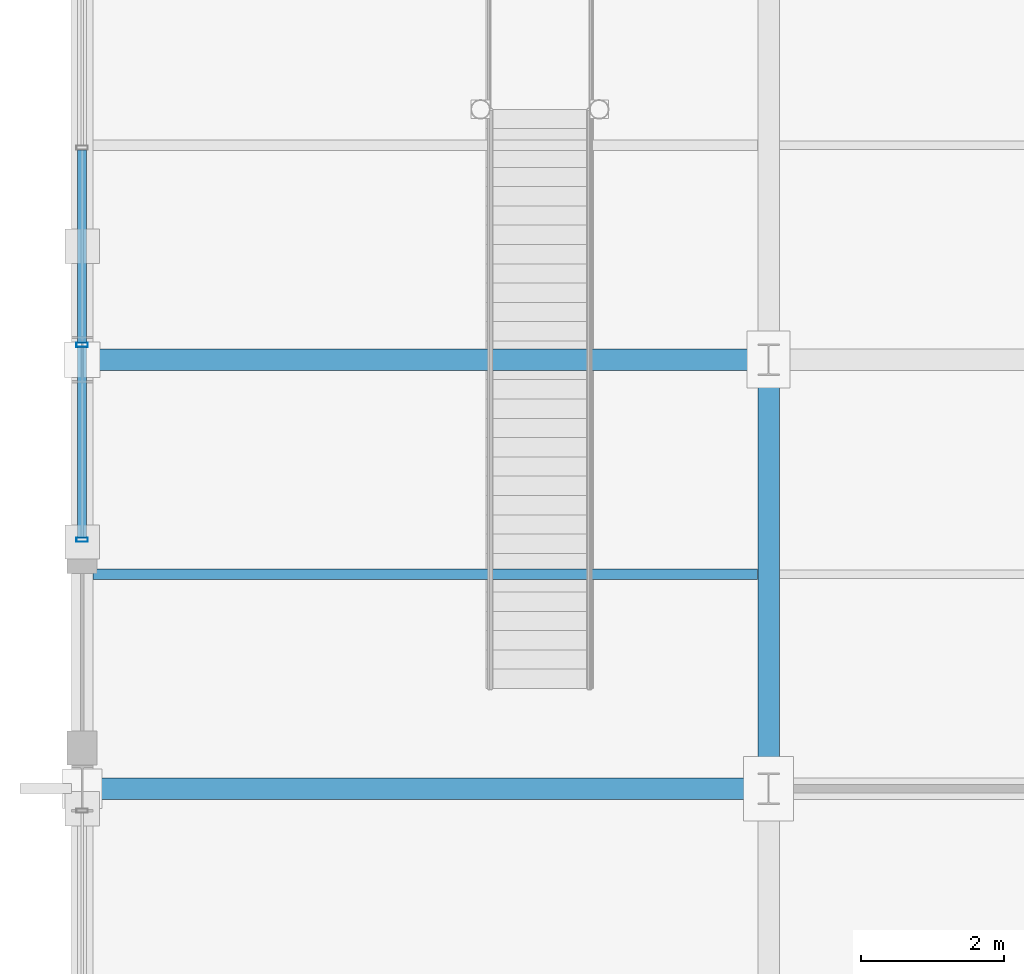
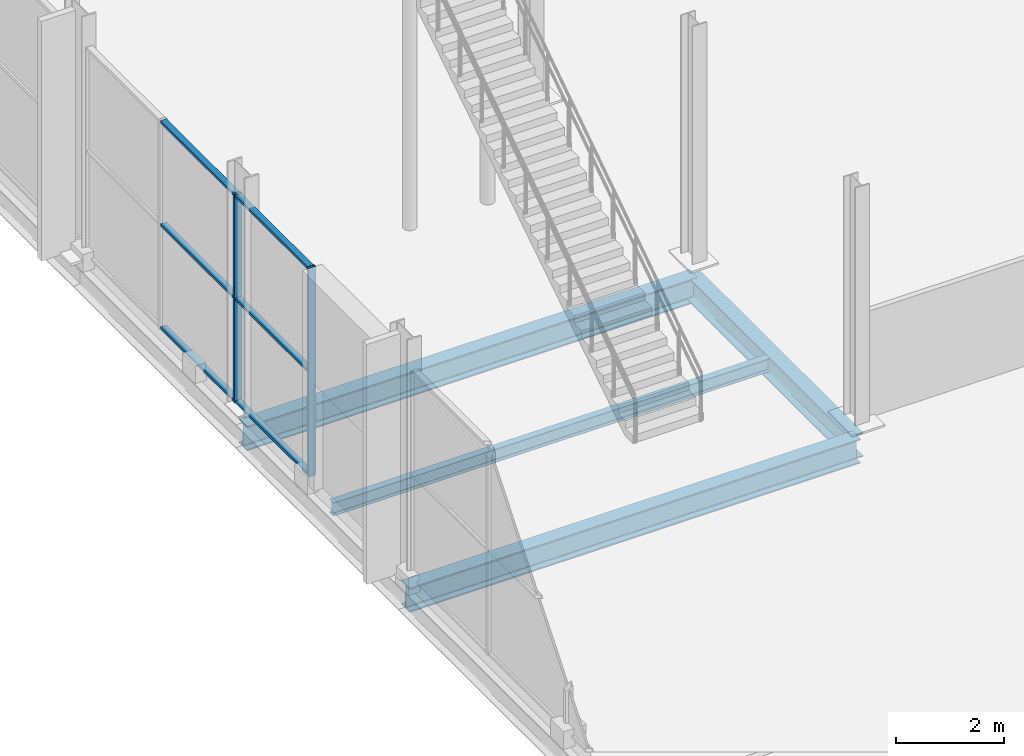
# One storey, part 48 of 196: 8 members, 4 beams, 1 element without a shape of its own.
"""IFC4 building model written with IfcOpenShell, lengths in metres."""

from ifc_helpers import new_model, si_unit, direction, frame, origin, origin_2d, place, context, subcontext, project, spatial, hollow_rectangle, i_section, extrude, material, material_profile, profile_set, type_object, element, aggregate, save


model = new_model("IFC4")

# Units and contexts
model_context = context("Model", 3, precision=1e-05, world=origin(), true_north=direction((0.0, 1.0)))
body_context = subcontext(model_context, "Body", "Model", "MODEL_VIEW")
ifc_project = project(units=[si_unit("LENGTHUNIT", "METRE"), si_unit("AREAUNIT", "SQUARE_METRE"), si_unit("VOLUMEUNIT", "CUBIC_METRE"), si_unit("PLANEANGLEUNIT", "RADIAN"), si_unit("MASSUNIT", "GRAM", prefix="KILO")], contexts=[model_context])

# Site, building, storey
site_placement = place(None, origin())
site = spatial("IfcSite", under=ifc_project, at=site_placement, CompositionType="ELEMENT")
building_placement = place(site_placement, origin())
building = spatial("IfcBuilding", under=site, at=building_placement, Name="Merenkruunu Market Hall", CompositionType="ELEMENT")
storey_placement = place(building_placement, origin())
storey = spatial("IfcBuildingStorey", under=building, at=storey_placement, Name="L00", CompositionType="ELEMENT", Elevation=0.0)

# Curtain wall, members
ifc_material_1 = material(Name="Powder-coated aluminium", Category="aluminium")
curtain_wall_type = type_object("IfcCurtainWallType", Name="Glazed Curtain Wall CW01", PredefinedType="USERDEFINED", material=ifc_material_1)
curtain_wall_placement = place(storey_placement, origin())
curtain_wall = element("IfcCurtainWall", 1, at=curtain_wall_placement, inside=storey, type_object=curtain_wall_type, Name="CW-L00-CWM01-007", ObjectType="GLAZED_FACADE", PredefinedType="USERDEFINED")
ifc_material_profile_1 = material_profile(ifc_material_1, hollow_rectangle(XDim=0.06005859375, YDim=0.159912109375, WallThickness=0.00390625, at=origin_2d()), Name="ALU 60x160x4")
ifc_profile_set_1 = profile_set([ifc_material_profile_1], Name="Powder-coated aluminium")
member_type_1 = type_object("IfcMemberType", Name="Curtain Wall Mullion CWM01", PredefinedType="MULLION", material=ifc_profile_set_1)
member_1_placement = place(storey_placement, frame((0.0, 43.080078125, 0.0), z_axis=(0.0, 0.0, 1.0), x_axis=(0.0, 1.0, 0.0)))
member_1 = element("IfcMember", 2, at=member_1_placement, type_object=member_type_1, Name="CW01 mullion 1", PredefinedType="MULLION", context=body_context, shape_type="SweptSolid", body=[
    extrude(hollow_rectangle(XDim=0.06005859375, YDim=0.159912109375, WallThickness=0.00390625, at=origin_2d()), origin(), (0.0, 0.0, 1.0), 4.699951171875),
])
member_2_placement = place(storey_placement, frame((0.0, 45.806640625, 0.0), z_axis=(0.0, 0.0, 1.0), x_axis=(0.0, 1.0, 0.0)))
member_2 = element("IfcMember", 3, at=member_2_placement, type_object=member_type_1, Name="CW01 mullion 2", PredefinedType="MULLION", context=body_context, shape_type="SweptSolid", body=[
    extrude(hollow_rectangle(XDim=0.06005859375, YDim=0.159912109375, WallThickness=0.00390625, at=origin_2d()), origin(), (0.0, 0.0, 1.0), 4.699951171875),
])
ifc_material_profile_2 = material_profile(ifc_material_1, hollow_rectangle(XDim=0.06005859375, YDim=0.125, WallThickness=0.00390625, at=origin_2d()), Name="ALU 60x125x4")
ifc_profile_set_2 = profile_set([ifc_material_profile_2], Name="Powder-coated aluminium")
member_type_2 = type_object("IfcMemberType", Name="Curtain Wall Transom CWT01", PredefinedType="USERDEFINED", material=ifc_profile_set_2)
member_3_placement = place(storey_placement, frame((0.0, 43.110107421875, 0.030029296875), z_axis=(0.0, 1.0, 0.0), x_axis=(0.0, 0.0, 1.0)))
member_3 = element("IfcMember", 4, at=member_3_placement, type_object=member_type_2, Name="CW01 transom 1.1", ObjectType="TRANSOM", PredefinedType="USERDEFINED", context=body_context, shape_type="SweptSolid", body=[
    extrude(hollow_rectangle(XDim=0.06005859375, YDim=0.125, WallThickness=0.00390625, at=origin_2d()), origin(), (0.0, 0.0, 1.0), 2.66650390625),
])
member_4_placement = place(storey_placement, frame((0.0, 43.110107421875, 2.35009765625), z_axis=(0.0, 1.0, 0.0), x_axis=(0.0, 0.0, 1.0)))
member_4 = element("IfcMember", 5, at=member_4_placement, type_object=member_type_2, Name="CW01 transom 1.2", ObjectType="TRANSOM", PredefinedType="USERDEFINED", context=body_context, shape_type="SweptSolid", body=[
    extrude(hollow_rectangle(XDim=0.06005859375, YDim=0.125, WallThickness=0.00390625, at=origin_2d()), origin(), (0.0, 0.0, 1.0), 2.66650390625),
])
member_5_placement = place(storey_placement, frame((0.0, 43.110107421875, 4.669921875), z_axis=(0.0, 1.0, 0.0), x_axis=(0.0, 0.0, 1.0)))
member_5 = element("IfcMember", 6, at=member_5_placement, type_object=member_type_2, Name="CW01 transom 1.3", ObjectType="TRANSOM", PredefinedType="USERDEFINED", context=body_context, shape_type="SweptSolid", body=[
    extrude(hollow_rectangle(XDim=0.06005859375, YDim=0.125, WallThickness=0.00390625, at=origin_2d()), origin(), (0.0, 0.0, 1.0), 2.66650390625),
])
member_6_placement = place(storey_placement, frame((0.0, 45.836669921875, 0.030029296875), z_axis=(0.0, 1.0, 0.0), x_axis=(0.0, 0.0, 1.0)))
member_6 = element("IfcMember", 7, at=member_6_placement, type_object=member_type_2, Name="CW01 transom 2.1", ObjectType="TRANSOM", PredefinedType="USERDEFINED", context=body_context, shape_type="SweptSolid", body=[
    extrude(hollow_rectangle(XDim=0.06005859375, YDim=0.125, WallThickness=0.00390625, at=origin_2d()), origin(), (0.0, 0.0, 1.0), 2.69677734375),
])
member_7_placement = place(storey_placement, frame((0.0, 45.836669921875, 2.35009765625), z_axis=(0.0, 1.0, 0.0), x_axis=(0.0, 0.0, 1.0)))
member_7 = element("IfcMember", 8, at=member_7_placement, type_object=member_type_2, Name="CW01 transom 2.2", ObjectType="TRANSOM", PredefinedType="USERDEFINED", context=body_context, shape_type="SweptSolid", body=[
    extrude(hollow_rectangle(XDim=0.06005859375, YDim=0.125, WallThickness=0.00390625, at=origin_2d()), origin(), (0.0, 0.0, 1.0), 2.69677734375),
])
member_8_placement = place(storey_placement, frame((0.0, 45.836669921875, 4.669921875), z_axis=(0.0, 1.0, 0.0), x_axis=(0.0, 0.0, 1.0)))
member_8 = element("IfcMember", 9, at=member_8_placement, type_object=member_type_2, Name="CW01 transom 2.3", ObjectType="TRANSOM", PredefinedType="USERDEFINED", context=body_context, shape_type="SweptSolid", body=[
    extrude(hollow_rectangle(XDim=0.06005859375, YDim=0.125, WallThickness=0.00390625, at=origin_2d()), origin(), (0.0, 0.0, 1.0), 2.69677734375),
])
aggregate(curtain_wall, [member_1, member_2, member_3, member_4, member_5, member_6, member_7, member_8])

# Beams
ifc_material_2 = material(Name="Steel S355J2", Category="steel")
ifc_material_profile_3 = material_profile(ifc_material_2, i_section(OverallWidth=0.300048828125, OverallDepth=0.550048828125, WebThickness=0.014892578125, FlangeThickness=0.029052734375, FilletRadius=0.027099609375, at=origin_2d()), Name="HEB 550")
ifc_profile_set_3 = profile_set([ifc_material_profile_3], Name="Steel S355J2")
beam_type_1 = type_object("IfcBeamType", Name="Primary Floor Girder B02", PredefinedType="BEAM", material=ifc_profile_set_3)
for number, where, z_axis, x_axis, name in (
    (10, (0.0, 39.60009765625, -0.614990234375), (1.0, 0.0, 0.0), (0.0, 1.0, 0.0), "BM-L00-B02-0045"),
    (11, (0.0, 45.60009765625, -0.614990234375), (1.0, 0.0, 0.0), (0.0, 1.0, 0.0), "BM-L00-B02-0063"),
):
    element("IfcBeam", number, at=place(storey_placement, frame(where, z_axis=z_axis, x_axis=x_axis)), inside=storey, type_object=beam_type_1, Name=name, PredefinedType="BEAM", context=body_context, shape_type="SweptSolid", body=[
        extrude(i_section(OverallWidth=0.300048828125, OverallDepth=0.550048828125, WebThickness=0.014892578125, FlangeThickness=0.029052734375, FilletRadius=0.027099609375, at=origin_2d()), origin(), (0.0, 0.0, 1.0), 9.60009765625),
    ])
ifc_material_profile_4 = material_profile(ifc_material_2, i_section(OverallWidth=0.300048828125, OverallDepth=0.5400390625, WebThickness=0.012451171875, FlangeThickness=0.02392578125, FilletRadius=0.027099609375, at=origin_2d()), Name="HEA 550")
ifc_profile_set_4 = profile_set([ifc_material_profile_4], Name="Steel S355J2")
beam_type_2 = type_object("IfcBeamType", Name="Primary Floor Girder B06", PredefinedType="BEAM", material=ifc_profile_set_4)
beam_1_placement = place(storey_placement, frame((9.60009765625, 39.60009765625, -0.610107421875), z_axis=(0.0, 1.0, 0.0), x_axis=(-1.0, 0.0, 0.0)))
element("IfcBeam", 12, at=beam_1_placement, inside=storey, type_object=beam_type_2, Name="BM-L00-B06-0147", PredefinedType="BEAM", context=body_context, shape_type="SweptSolid", body=[
    extrude(i_section(OverallWidth=0.300048828125, OverallDepth=0.5400390625, WebThickness=0.012451171875, FlangeThickness=0.02392578125, FilletRadius=0.027099609375, at=origin_2d()), origin(), (0.0, 0.0, 1.0), 6.0),
])
ifc_material_profile_5 = material_profile(ifc_material_2, i_section(OverallWidth=0.14990234375, OverallDepth=0.300048828125, WebThickness=0.007080078125, FlangeThickness=0.0107421875, FilletRadius=0.014892578125, at=origin_2d()), Name="IPE 300")
ifc_profile_set_5 = profile_set([ifc_material_profile_5], Name="Steel S355J2")
beam_type_3 = type_object("IfcBeamType", Name="Secondary Floor Joist J04", PredefinedType="JOIST", material=ifc_profile_set_5)
beam_2_placement = place(storey_placement, frame((0.153076171875, 42.60009765625, -0.489990234375), z_axis=(1.0, 0.0, 0.0), x_axis=(0.0, 1.0, 0.0)))
element("IfcBeam", 13, at=beam_2_placement, inside=storey, type_object=beam_type_3, Name="BM-L00-J04-0278", PredefinedType="JOIST", context=body_context, shape_type="SweptSolid", body=[
    extrude(i_section(OverallWidth=0.14990234375, OverallDepth=0.300048828125, WebThickness=0.007080078125, FlangeThickness=0.0107421875, FilletRadius=0.014892578125, at=origin_2d()), origin(), (0.0, 0.0, 1.0), 9.2939453125),
])

save(model, "model.ifc")
